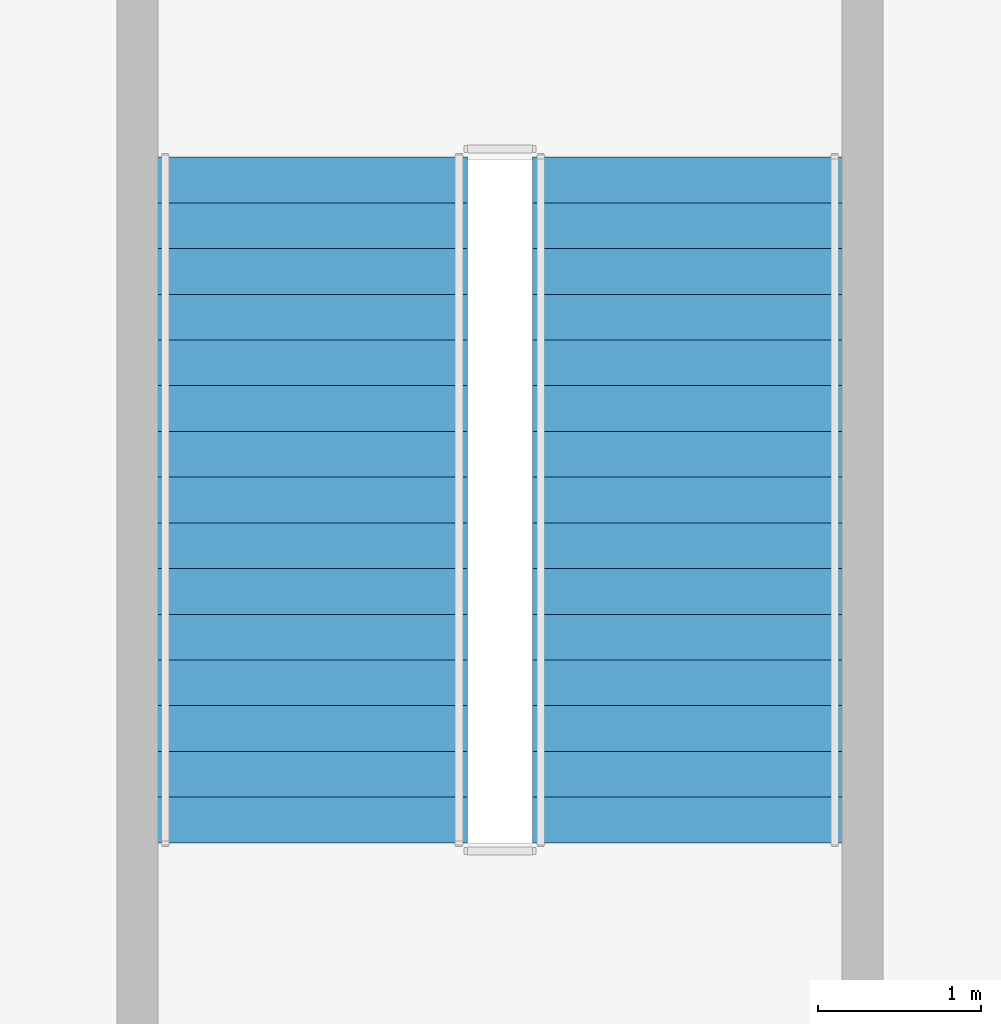
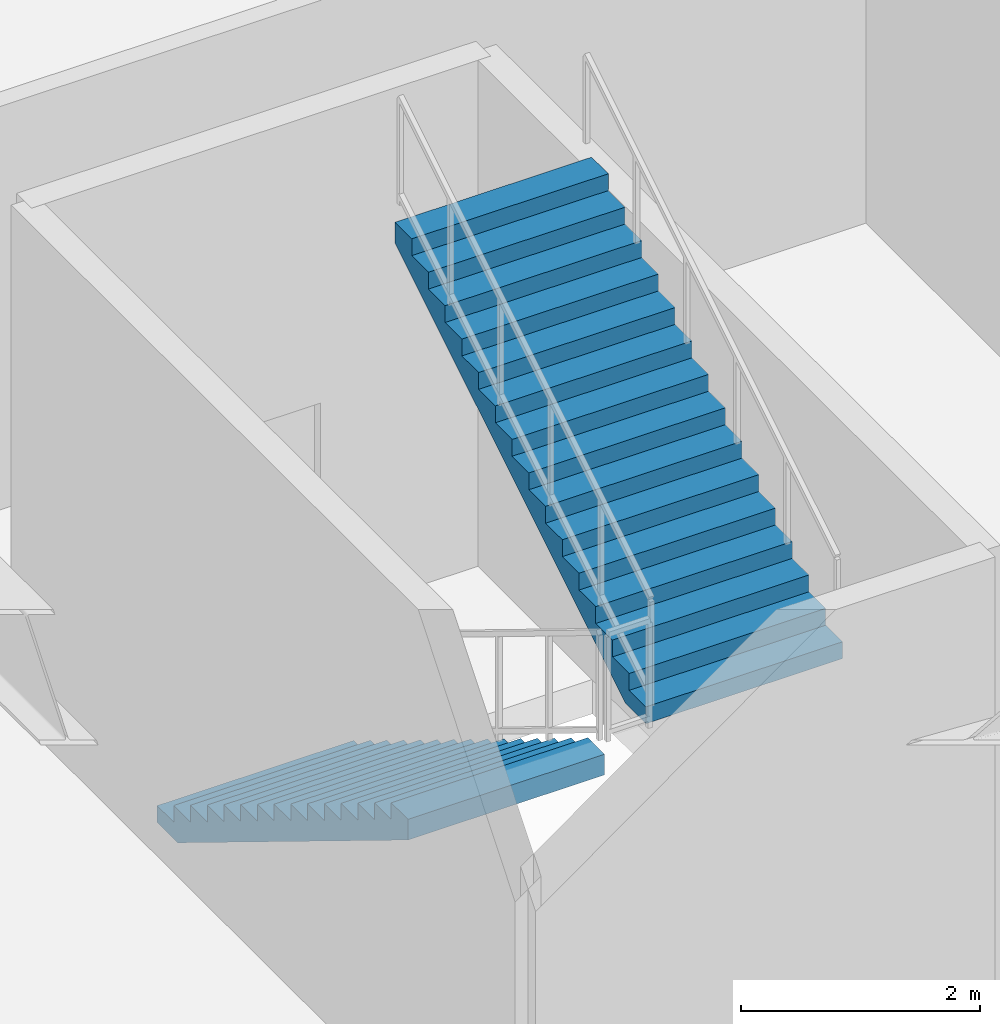
# One storey, part 7 of 10: 2 stair flights, 1 element without a shape of its own.
"""IFC4 building model written with IfcOpenShell, lengths in metres."""

from ifc_helpers import new_model, si_unit, direction, frame, origin, place, context, subcontext, project, spatial, polyline, outline, extrude, material, type_object, element, aggregate, save


model = new_model("IFC4")

# Units and contexts
model_context = context("Model", 3, precision=1e-05, world=origin(), true_north=direction((0.0, 1.0)))
body_context = subcontext(model_context, "Body", "Model", "MODEL_VIEW")
ifc_project = project(units=[si_unit("LENGTHUNIT", "METRE"), si_unit("AREAUNIT", "SQUARE_METRE"), si_unit("VOLUMEUNIT", "CUBIC_METRE"), si_unit("PLANEANGLEUNIT", "RADIAN"), si_unit("MASSUNIT", "GRAM", prefix="KILO")], contexts=[model_context])

# Site, building, storey
site_placement = place(None, origin())
site = spatial("IfcSite", under=ifc_project, at=site_placement, CompositionType="ELEMENT")
building_placement = place(site_placement, origin())
building = spatial("IfcBuilding", under=site, at=building_placement, Name="Varnakhor Terracotta Tower", CompositionType="ELEMENT")
storey_placement = place(building_placement, frame((0.0, 0.0, 5.5)))
storey = spatial("IfcBuildingStorey", under=building, at=storey_placement, Name="L01", CompositionType="ELEMENT", Elevation=5.5)

# Stair, stair flights
ifc_material = material(Name="Concrete C40/50", Category="concrete")
stair_type = type_object("IfcStairType", Name="STR-PODIUM-EXIT-2000", PredefinedType="HALF_TURN_STAIR", material=ifc_material)
stair_placement = place(storey_placement, origin())
stair = element("IfcStair", 1, at=stair_placement, inside=storey, type_object=stair_type, Name="L01 Podium Assembly Exit Stair ST-P4", PredefinedType="HALF_TURN_STAIR")
stair_flight_type = type_object("IfcStairFlightType", Name="FLT-PODIUM-2000", PredefinedType="STRAIGHT", material=ifc_material)
stair_flight_1_placement = place(storey_placement, frame((25.550048828125, 35.699951171875, 0.0), z_axis=(0.0, 0.0, 1.0), x_axis=(0.0, -1.0, 0.0)))
stair_flight_1 = element("IfcStairFlight", 2, at=stair_flight_1_placement, type_object=stair_flight_type, Name="ST-P4 flight 1", NumberOfRisers=16, NumberOfTreads=15, PredefinedType="STRAIGHT", RiserHeight=0.171875, TreadLength=0.28, context=body_context, shape_type="SweptSolid", body=[
    extrude(outline(polyline([(0.0, 0.0), (0.0, 0.171875), (0.280029296875, 0.171875), (0.280029296875, 0.34375), (0.56005859375, 0.34375), (0.56005859375, 0.515625), (0.840087890625, 0.515625), (0.840087890625, 0.6875), (1.1201171875, 0.6875), (1.1201171875, 0.859375), (1.39990234375, 0.859375), (1.39990234375, 1.03125), (1.679931640625, 1.03125), (1.679931640625, 1.203125), (1.9599609375, 1.203125), (1.9599609375, 1.375), (2.239990234375, 1.375), (2.239990234375, 1.546875), (2.52001953125, 1.546875), (2.52001953125, 1.71875), (2.800048828125, 1.71875), (2.800048828125, 1.890625), (3.080078125, 1.890625), (3.080078125, 2.0625), (3.360107421875, 2.0625), (3.360107421875, 2.234375), (3.639892578125, 2.234375), (3.639892578125, 2.40625), (3.919921875, 2.40625), (3.919921875, 2.578125), (4.199951171875, 2.578125), (4.199951171875, 2.75), (4.199951171875, 2.366943359375), (0.343994140625, 0.0), (0.0, 0.0)])), frame((0.0, 0.949951171875, 0.0), z_axis=(0.0, -1.0, 0.0), x_axis=(1.0, 0.0, 0.0)), (0.0, 0.0, 1.0), 1.89990234375),
])
stair_flight_2_placement = place(storey_placement, frame((27.85009765625, 31.5, 2.75), z_axis=(0.0, 0.0, 1.0), x_axis=(0.0, 1.0, 0.0)))
stair_flight_2 = element("IfcStairFlight", 3, at=stair_flight_2_placement, type_object=stair_flight_type, Name="ST-P4 flight 2", NumberOfRisers=16, NumberOfTreads=15, PredefinedType="STRAIGHT", RiserHeight=0.171875, TreadLength=0.28, context=body_context, shape_type="SweptSolid", body=[
    extrude(outline(polyline([(0.0, 0.0), (0.0, 0.171875), (0.280029296875, 0.171875), (0.280029296875, 0.34375), (0.56005859375, 0.34375), (0.56005859375, 0.515625), (0.840087890625, 0.515625), (0.840087890625, 0.6875), (1.1201171875, 0.6875), (1.1201171875, 0.859375), (1.39990234375, 0.859375), (1.39990234375, 1.03125), (1.679931640625, 1.03125), (1.679931640625, 1.203125), (1.9599609375, 1.203125), (1.9599609375, 1.375), (2.239990234375, 1.375), (2.239990234375, 1.546875), (2.52001953125, 1.546875), (2.52001953125, 1.71875), (2.800048828125, 1.71875), (2.800048828125, 1.890625), (3.080078125, 1.890625), (3.080078125, 2.0625), (3.360107421875, 2.0625), (3.360107421875, 2.234375), (3.639892578125, 2.234375), (3.639892578125, 2.40625), (3.919921875, 2.40625), (3.919921875, 2.578125), (4.199951171875, 2.578125), (4.199951171875, 2.75), (4.199951171875, 2.366943359375), (0.343994140625, 0.0), (0.0, 0.0)])), frame((0.0, 0.949951171875, 0.0), z_axis=(0.0, -1.0, 0.0), x_axis=(1.0, 0.0, 0.0)), (0.0, 0.0, 1.0), 1.89990234375),
])
aggregate(stair, [stair_flight_1, stair_flight_2])

save(model, "model.ifc")
